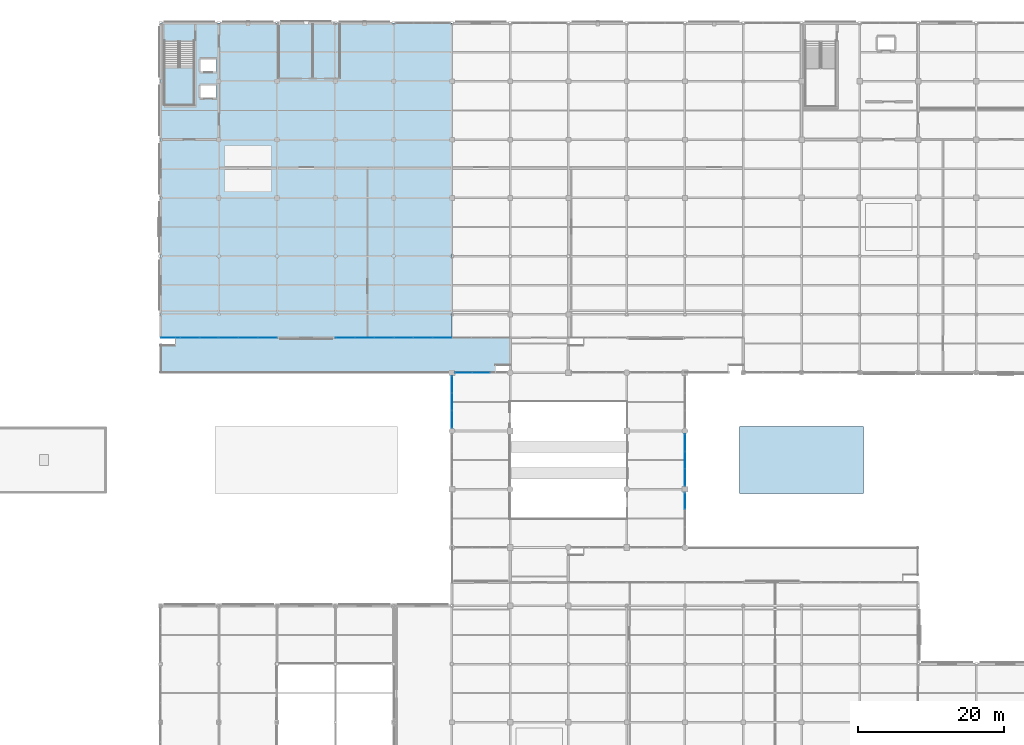
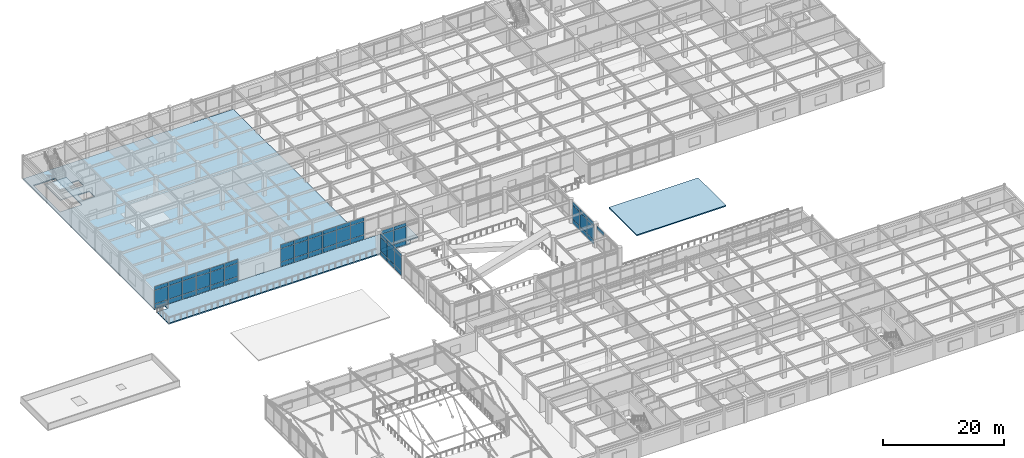
# One storey, part 85 of 117: 61 plates, 4 slabs, 9 elements without a shape of their own.
"""IFC4 building model written with IfcOpenShell, lengths in metres."""

from ifc_helpers import new_model, si_unit, direction, frame, origin, origin_2d, place, context, subcontext, project, spatial, polyline, rectangle, outline, extrude, material, layer, layer_set, type_object, element, aggregate, save


model = new_model("IFC4")

# Units and contexts
model_context = context("Model", 3, precision=1e-05, world=origin(), true_north=direction((0.0, 1.0)))
body_context = subcontext(model_context, "Body", "Model", "MODEL_VIEW")
ifc_project = project(units=[si_unit("LENGTHUNIT", "METRE"), si_unit("AREAUNIT", "SQUARE_METRE"), si_unit("VOLUMEUNIT", "CUBIC_METRE"), si_unit("PLANEANGLEUNIT", "RADIAN"), si_unit("MASSUNIT", "GRAM", prefix="KILO")], contexts=[model_context])

# Site, building, storey
site_placement = place(None, origin())
site = spatial("IfcSite", under=ifc_project, at=site_placement, CompositionType="ELEMENT")
building_placement = place(site_placement, origin())
building = spatial("IfcBuilding", under=site, at=building_placement, Name="Solmirada Galleria", CompositionType="ELEMENT")
storey_placement = place(building_placement, frame((0.0, 0.0, 5.60009765625)))
storey = spatial("IfcBuildingStorey", under=building, at=storey_placement, Name="L01", CompositionType="ELEMENT", Elevation=5.60009765625)

# Curtain wall, plates
ifc_material_1 = material(Name="Impact-resistant low-E double glazing", Category="glass")
curtain_wall_type_1 = type_object("IfcCurtainWallType", Name="CW-FZ3-L01-B3-L072", PredefinedType="NOTDEFINED", material=ifc_material_1)
curtain_wall_1_placement = place(storey_placement, origin())
curtain_wall_1 = element("IfcCurtainWall", 1, at=curtain_wall_1_placement, inside=storey, type_object=curtain_wall_type_1, Name="Terrace and arcade storefront CW-L01-046", PredefinedType="NOTDEFINED")
ifc_layer_1 = layer(ifc_material_1, 0.035888671875)
ifc_layer_set_1 = layer_set([ifc_layer_1], Name="Impact-resistant low-E double glazing")
plate_type_1 = type_object("IfcPlateType", Name="CW-PNL-CW12-T36", PredefinedType="CURTAIN_PANEL", material=ifc_layer_set_1)
plate_1_placement = place(storey_placement, frame((80.0, 65.61767578125, 0.06494140625), z_axis=(0.0, 0.0, 1.0), x_axis=(0.0, 1.0, 0.0)))
plate_1 = element("IfcPlate", 2, at=plate_1_placement, type_object=plate_type_1, Name="CW12 panel 1.1", PredefinedType="CURTAIN_PANEL", context=body_context, shape_type="SweptSolid", body=[
    extrude(rectangle(XDim=2.30126953125, YDim=0.035888671875, at=origin_2d()), origin(), (0.0, 0.0, 1.0), 0.802490234375),
])
plate_2_placement = place(storey_placement, frame((80.0, 65.61767578125, 0.9326171875), z_axis=(0.0, 0.0, 1.0), x_axis=(0.0, 1.0, 0.0)))
plate_2 = element("IfcPlate", 3, at=plate_2_placement, type_object=plate_type_1, Name="CW12 panel 1.2", PredefinedType="CURTAIN_PANEL", context=body_context, shape_type="SweptSolid", body=[
    extrude(rectangle(XDim=2.30126953125, YDim=0.035888671875, at=origin_2d()), origin(), (0.0, 0.0, 1.0), 2.764892578125),
])
plate_3_placement = place(storey_placement, frame((80.0, 65.61767578125, 3.762451171875), z_axis=(0.0, 0.0, 1.0), x_axis=(0.0, 1.0, 0.0)))
plate_3 = element("IfcPlate", 4, at=plate_3_placement, type_object=plate_type_1, Name="CW12 panel 1.3", PredefinedType="CURTAIN_PANEL", context=body_context, shape_type="SweptSolid", body=[
    extrude(rectangle(XDim=2.30126953125, YDim=0.035888671875, at=origin_2d()), origin(), (0.0, 0.0, 1.0), 0.6923828125),
])
plate_4_placement = place(storey_placement, frame((80.0, 68.0, 0.06494140625), z_axis=(0.0, 0.0, 1.0), x_axis=(0.0, 1.0, 0.0)))
plate_4 = element("IfcPlate", 5, at=plate_4_placement, type_object=plate_type_1, Name="CW12 panel 2.1", PredefinedType="CURTAIN_PANEL", context=body_context, shape_type="SweptSolid", body=[
    extrude(rectangle(XDim=2.333740234375, YDim=0.035888671875, at=origin_2d()), origin(), (0.0, 0.0, 1.0), 0.802490234375),
])
plate_5_placement = place(storey_placement, frame((80.0, 68.0, 0.9326171875), z_axis=(0.0, 0.0, 1.0), x_axis=(0.0, 1.0, 0.0)))
plate_5 = element("IfcPlate", 6, at=plate_5_placement, type_object=plate_type_1, Name="CW12 panel 2.2", PredefinedType="CURTAIN_PANEL", context=body_context, shape_type="SweptSolid", body=[
    extrude(rectangle(XDim=2.333740234375, YDim=0.035888671875, at=origin_2d()), origin(), (0.0, 0.0, 1.0), 2.764892578125),
])
plate_6_placement = place(storey_placement, frame((80.0, 68.0, 3.762451171875), z_axis=(0.0, 0.0, 1.0), x_axis=(0.0, 1.0, 0.0)))
plate_6 = element("IfcPlate", 7, at=plate_6_placement, type_object=plate_type_1, Name="CW12 panel 2.3", PredefinedType="CURTAIN_PANEL", context=body_context, shape_type="SweptSolid", body=[
    extrude(rectangle(XDim=2.333740234375, YDim=0.035888671875, at=origin_2d()), origin(), (0.0, 0.0, 1.0), 0.6923828125),
])
plate_7_placement = place(storey_placement, frame((80.0, 70.38232421875, 0.06494140625), z_axis=(0.0, 0.0, 1.0), x_axis=(0.0, 1.0, 0.0)))
plate_7 = element("IfcPlate", 8, at=plate_7_placement, type_object=plate_type_1, Name="CW12 panel 3.1", PredefinedType="CURTAIN_PANEL", context=body_context, shape_type="SweptSolid", body=[
    extrude(rectangle(XDim=2.30126953125, YDim=0.035888671875, at=origin_2d()), origin(), (0.0, 0.0, 1.0), 0.802490234375),
])
plate_8_placement = place(storey_placement, frame((80.0, 70.38232421875, 0.9326171875), z_axis=(0.0, 0.0, 1.0), x_axis=(0.0, 1.0, 0.0)))
plate_8 = element("IfcPlate", 9, at=plate_8_placement, type_object=plate_type_1, Name="CW12 panel 3.2", PredefinedType="CURTAIN_PANEL", context=body_context, shape_type="SweptSolid", body=[
    extrude(rectangle(XDim=2.30126953125, YDim=0.035888671875, at=origin_2d()), origin(), (0.0, 0.0, 1.0), 2.764892578125),
])
plate_9_placement = place(storey_placement, frame((80.0, 70.38232421875, 3.762451171875), z_axis=(0.0, 0.0, 1.0), x_axis=(0.0, 1.0, 0.0)))
plate_9 = element("IfcPlate", 10, at=plate_9_placement, type_object=plate_type_1, Name="CW12 panel 3.3", PredefinedType="CURTAIN_PANEL", context=body_context, shape_type="SweptSolid", body=[
    extrude(rectangle(XDim=2.30126953125, YDim=0.035888671875, at=origin_2d()), origin(), (0.0, 0.0, 1.0), 0.6923828125),
])
aggregate(curtain_wall_1, [plate_1, plate_2, plate_3, plate_4, plate_5, plate_6, plate_7, plate_8, plate_9])

curtain_wall_2_placement = place(storey_placement, origin())
curtain_wall_2 = element("IfcCurtainWall", 11, at=curtain_wall_2_placement, inside=storey, type_object=curtain_wall_type_1, Name="Terrace and arcade storefront CW-L01-047", PredefinedType="NOTDEFINED")
plate_10_placement = place(storey_placement, frame((81.61767578125, 72.0, 0.06494140625), z_axis=(0.0, 0.0, 1.0), x_axis=(1.0, 0.0, 0.0)))
plate_10 = element("IfcPlate", 12, at=plate_10_placement, type_object=plate_type_1, Name="CW12 panel 1.1", PredefinedType="CURTAIN_PANEL", context=body_context, shape_type="SweptSolid", body=[
    extrude(rectangle(XDim=2.30126953125, YDim=0.035888671875, at=origin_2d()), origin(), (0.0, 0.0, 1.0), 0.802490234375),
])
plate_11_placement = place(storey_placement, frame((81.61767578125, 72.0, 0.9326171875), z_axis=(0.0, 0.0, 1.0), x_axis=(1.0, 0.0, 0.0)))
plate_11 = element("IfcPlate", 13, at=plate_11_placement, type_object=plate_type_1, Name="CW12 panel 1.2", PredefinedType="CURTAIN_PANEL", context=body_context, shape_type="SweptSolid", body=[
    extrude(rectangle(XDim=2.30126953125, YDim=0.035888671875, at=origin_2d()), origin(), (0.0, 0.0, 1.0), 2.764892578125),
])
plate_12_placement = place(storey_placement, frame((81.61767578125, 72.0, 3.762451171875), z_axis=(0.0, 0.0, 1.0), x_axis=(1.0, 0.0, 0.0)))
plate_12 = element("IfcPlate", 14, at=plate_12_placement, type_object=plate_type_1, Name="CW12 panel 1.3", PredefinedType="CURTAIN_PANEL", context=body_context, shape_type="SweptSolid", body=[
    extrude(rectangle(XDim=2.30126953125, YDim=0.035888671875, at=origin_2d()), origin(), (0.0, 0.0, 1.0), 0.6923828125),
])
plate_13_placement = place(storey_placement, frame((84.0, 72.0, 0.06494140625), z_axis=(0.0, 0.0, 1.0), x_axis=(1.0, 0.0, 0.0)))
plate_13 = element("IfcPlate", 15, at=plate_13_placement, type_object=plate_type_1, Name="CW12 panel 2.1", PredefinedType="CURTAIN_PANEL", context=body_context, shape_type="SweptSolid", body=[
    extrude(rectangle(XDim=2.333740234375, YDim=0.035888671875, at=origin_2d()), origin(), (0.0, 0.0, 1.0), 0.802490234375),
])
plate_14_placement = place(storey_placement, frame((84.0, 72.0, 0.9326171875), z_axis=(0.0, 0.0, 1.0), x_axis=(1.0, 0.0, 0.0)))
plate_14 = element("IfcPlate", 16, at=plate_14_placement, type_object=plate_type_1, Name="CW12 panel 2.2", PredefinedType="CURTAIN_PANEL", context=body_context, shape_type="SweptSolid", body=[
    extrude(rectangle(XDim=2.333740234375, YDim=0.035888671875, at=origin_2d()), origin(), (0.0, 0.0, 1.0), 2.764892578125),
])
plate_15_placement = place(storey_placement, frame((84.0, 72.0, 3.762451171875), z_axis=(0.0, 0.0, 1.0), x_axis=(1.0, 0.0, 0.0)))
plate_15 = element("IfcPlate", 17, at=plate_15_placement, type_object=plate_type_1, Name="CW12 panel 2.3", PredefinedType="CURTAIN_PANEL", context=body_context, shape_type="SweptSolid", body=[
    extrude(rectangle(XDim=2.333740234375, YDim=0.035888671875, at=origin_2d()), origin(), (0.0, 0.0, 1.0), 0.6923828125),
])
aggregate(curtain_wall_2, [plate_10, plate_11, plate_12, plate_13, plate_14, plate_15])

curtain_wall_3_placement = place(storey_placement, origin())
curtain_wall_3 = element("IfcCurtainWall", 18, at=curtain_wall_3_placement, inside=storey, type_object=curtain_wall_type_1, Name="Terrace and arcade storefront CW-L01-069", PredefinedType="NOTDEFINED")
plate_16_placement = place(storey_placement, frame((112.0, 62.38232421875, 0.06494140625), z_axis=(0.0, 0.0, 1.0), x_axis=(0.0, -1.0, 0.0)))
plate_16 = element("IfcPlate", 19, at=plate_16_placement, type_object=plate_type_1, Name="CW12 panel 1.1", PredefinedType="CURTAIN_PANEL", context=body_context, shape_type="SweptSolid", body=[
    extrude(rectangle(XDim=2.30126953125, YDim=0.035888671875, at=origin_2d()), origin(), (0.0, 0.0, 1.0), 0.802490234375),
])
plate_17_placement = place(storey_placement, frame((112.0, 62.38232421875, 0.9326171875), z_axis=(0.0, 0.0, 1.0), x_axis=(0.0, -1.0, 0.0)))
plate_17 = element("IfcPlate", 20, at=plate_17_placement, type_object=plate_type_1, Name="CW12 panel 1.2", PredefinedType="CURTAIN_PANEL", context=body_context, shape_type="SweptSolid", body=[
    extrude(rectangle(XDim=2.30126953125, YDim=0.035888671875, at=origin_2d()), origin(), (0.0, 0.0, 1.0), 2.764892578125),
])
plate_18_placement = place(storey_placement, frame((112.0, 62.38232421875, 3.762451171875), z_axis=(0.0, 0.0, 1.0), x_axis=(0.0, -1.0, 0.0)))
plate_18 = element("IfcPlate", 21, at=plate_18_placement, type_object=plate_type_1, Name="CW12 panel 1.3", PredefinedType="CURTAIN_PANEL", context=body_context, shape_type="SweptSolid", body=[
    extrude(rectangle(XDim=2.30126953125, YDim=0.035888671875, at=origin_2d()), origin(), (0.0, 0.0, 1.0), 0.6923828125),
])
plate_19_placement = place(storey_placement, frame((112.0, 60.0, 0.06494140625), z_axis=(0.0, 0.0, 1.0), x_axis=(0.0, -1.0, 0.0)))
plate_19 = element("IfcPlate", 22, at=plate_19_placement, type_object=plate_type_1, Name="CW12 panel 2.1", PredefinedType="CURTAIN_PANEL", context=body_context, shape_type="SweptSolid", body=[
    extrude(rectangle(XDim=2.333740234375, YDim=0.035888671875, at=origin_2d()), origin(), (0.0, 0.0, 1.0), 0.802490234375),
])
plate_20_placement = place(storey_placement, frame((112.0, 60.0, 0.9326171875), z_axis=(0.0, 0.0, 1.0), x_axis=(0.0, -1.0, 0.0)))
plate_20 = element("IfcPlate", 23, at=plate_20_placement, type_object=plate_type_1, Name="CW12 panel 2.2", PredefinedType="CURTAIN_PANEL", context=body_context, shape_type="SweptSolid", body=[
    extrude(rectangle(XDim=2.333740234375, YDim=0.035888671875, at=origin_2d()), origin(), (0.0, 0.0, 1.0), 2.764892578125),
])
plate_21_placement = place(storey_placement, frame((112.0, 60.0, 3.762451171875), z_axis=(0.0, 0.0, 1.0), x_axis=(0.0, -1.0, 0.0)))
plate_21 = element("IfcPlate", 24, at=plate_21_placement, type_object=plate_type_1, Name="CW12 panel 2.3", PredefinedType="CURTAIN_PANEL", context=body_context, shape_type="SweptSolid", body=[
    extrude(rectangle(XDim=2.333740234375, YDim=0.035888671875, at=origin_2d()), origin(), (0.0, 0.0, 1.0), 0.6923828125),
])
plate_22_placement = place(storey_placement, frame((112.0, 57.61767578125, 0.06494140625), z_axis=(0.0, 0.0, 1.0), x_axis=(0.0, -1.0, 0.0)))
plate_22 = element("IfcPlate", 25, at=plate_22_placement, type_object=plate_type_1, Name="CW12 panel 3.1", PredefinedType="CURTAIN_PANEL", context=body_context, shape_type="SweptSolid", body=[
    extrude(rectangle(XDim=2.30126953125, YDim=0.035888671875, at=origin_2d()), origin(), (0.0, 0.0, 1.0), 0.802490234375),
])
plate_23_placement = place(storey_placement, frame((112.0, 57.61767578125, 0.9326171875), z_axis=(0.0, 0.0, 1.0), x_axis=(0.0, -1.0, 0.0)))
plate_23 = element("IfcPlate", 26, at=plate_23_placement, type_object=plate_type_1, Name="CW12 panel 3.2", PredefinedType="CURTAIN_PANEL", context=body_context, shape_type="SweptSolid", body=[
    extrude(rectangle(XDim=2.30126953125, YDim=0.035888671875, at=origin_2d()), origin(), (0.0, 0.0, 1.0), 2.764892578125),
])
plate_24_placement = place(storey_placement, frame((112.0, 57.61767578125, 3.762451171875), z_axis=(0.0, 0.0, 1.0), x_axis=(0.0, -1.0, 0.0)))
plate_24 = element("IfcPlate", 27, at=plate_24_placement, type_object=plate_type_1, Name="CW12 panel 3.3", PredefinedType="CURTAIN_PANEL", context=body_context, shape_type="SweptSolid", body=[
    extrude(rectangle(XDim=2.30126953125, YDim=0.035888671875, at=origin_2d()), origin(), (0.0, 0.0, 1.0), 0.6923828125),
])
aggregate(curtain_wall_3, [plate_16, plate_17, plate_18, plate_19, plate_20, plate_21, plate_22, plate_23, plate_24])

# Curtain wall, plate
curtain_wall_4_placement = place(storey_placement, origin())
curtain_wall_4 = element("IfcCurtainWall", 28, at=curtain_wall_4_placement, inside=storey, type_object=curtain_wall_type_1, Name="Terrace and arcade storefront CW-L01-070", PredefinedType="NOTDEFINED")
plate_25_placement = place(storey_placement, frame((112.0, 54.38232421875, 3.762451171875), z_axis=(0.0, 0.0, 1.0), x_axis=(0.0, -1.0, 0.0)))
plate_25 = element("IfcPlate", 29, at=plate_25_placement, type_object=plate_type_1, Name="CW12 panel 1.3", PredefinedType="CURTAIN_PANEL", context=body_context, shape_type="SweptSolid", body=[
    extrude(rectangle(XDim=2.30126953125, YDim=0.035888671875, at=origin_2d()), origin(), (0.0, 0.0, 1.0), 0.6923828125),
])
aggregate(curtain_wall_4, [plate_25])

# Curtain wall, plates
curtain_wall_type_2 = type_object("IfcCurtainWallType", Name="CW-FZ4-L01-B3-L080", PredefinedType="NOTDEFINED", material=ifc_material_1)
curtain_wall_5_placement = place(storey_placement, origin())
curtain_wall_5 = element("IfcCurtainWall", 30, at=curtain_wall_5_placement, inside=storey, type_object=curtain_wall_type_2, Name="Terrace and arcade storefront CW-L01-049", PredefinedType="NOTDEFINED")
ifc_layer_2 = layer(ifc_material_1, 0.0419921875)
ifc_layer_set_2 = layer_set([ifc_layer_2], Name="Impact-resistant low-E double glazing")
plate_type_2 = type_object("IfcPlateType", Name="CW-PNL-CW13-T42", PredefinedType="CURTAIN_PANEL", material=ifc_layer_set_2)
plate_26_placement = place(storey_placement, frame((78.650390625, 76.800048828125, 0.06494140625), z_axis=(0.0, 0.0, 1.0), x_axis=(-1.0, 0.0, 0.0)))
plate_26 = element("IfcPlate", 31, at=plate_26_placement, type_object=plate_type_2, Name="CW13 panel 1.1", PredefinedType="CURTAIN_PANEL", context=body_context, shape_type="SweptSolid", body=[
    extrude(rectangle(XDim=2.569091796875, YDim=0.0419921875, at=origin_2d()), origin(), (0.0, 0.0, 1.0), 0.862548828125),
])
plate_27_placement = place(storey_placement, frame((78.650390625, 76.800048828125, 0.9921875), z_axis=(0.0, 0.0, 1.0), x_axis=(-1.0, 0.0, 0.0)))
plate_27 = element("IfcPlate", 32, at=plate_27_placement, type_object=plate_type_2, Name="CW13 panel 1.2", PredefinedType="CURTAIN_PANEL", context=body_context, shape_type="SweptSolid", body=[
    extrude(rectangle(XDim=2.569091796875, YDim=0.0419921875, at=origin_2d()), origin(), (0.0, 0.0, 1.0), 2.655029296875),
])
plate_28_placement = place(storey_placement, frame((78.650390625, 76.800048828125, 3.71240234375), z_axis=(0.0, 0.0, 1.0), x_axis=(-1.0, 0.0, 0.0)))
plate_28 = element("IfcPlate", 33, at=plate_28_placement, type_object=plate_type_2, Name="CW13 panel 1.3", PredefinedType="CURTAIN_PANEL", context=body_context, shape_type="SweptSolid", body=[
    extrude(rectangle(XDim=2.569091796875, YDim=0.0419921875, at=origin_2d()), origin(), (0.0, 0.0, 1.0), 0.742431640625),
])
plate_29_placement = place(storey_placement, frame((76.0, 76.800048828125, 0.06494140625), z_axis=(0.0, 0.0, 1.0), x_axis=(-1.0, 0.0, 0.0)))
plate_29 = element("IfcPlate", 34, at=plate_29_placement, type_object=plate_type_2, Name="CW13 panel 2.1", PredefinedType="CURTAIN_PANEL", context=body_context, shape_type="SweptSolid", body=[
    extrude(rectangle(XDim=2.6015625, YDim=0.0419921875, at=origin_2d()), origin(), (0.0, 0.0, 1.0), 0.862548828125),
])
plate_30_placement = place(storey_placement, frame((76.0, 76.800048828125, 0.9921875), z_axis=(0.0, 0.0, 1.0), x_axis=(-1.0, 0.0, 0.0)))
plate_30 = element("IfcPlate", 35, at=plate_30_placement, type_object=plate_type_2, Name="CW13 panel 2.2", PredefinedType="CURTAIN_PANEL", context=body_context, shape_type="SweptSolid", body=[
    extrude(rectangle(XDim=2.6015625, YDim=0.0419921875, at=origin_2d()), origin(), (0.0, 0.0, 1.0), 2.655029296875),
])
plate_31_placement = place(storey_placement, frame((76.0, 76.800048828125, 3.71240234375), z_axis=(0.0, 0.0, 1.0), x_axis=(-1.0, 0.0, 0.0)))
plate_31 = element("IfcPlate", 36, at=plate_31_placement, type_object=plate_type_2, Name="CW13 panel 2.3", PredefinedType="CURTAIN_PANEL", context=body_context, shape_type="SweptSolid", body=[
    extrude(rectangle(XDim=2.6015625, YDim=0.0419921875, at=origin_2d()), origin(), (0.0, 0.0, 1.0), 0.742431640625),
])
plate_32_placement = place(storey_placement, frame((73.349609375, 76.800048828125, 0.06494140625), z_axis=(0.0, 0.0, 1.0), x_axis=(-1.0, 0.0, 0.0)))
plate_32 = element("IfcPlate", 37, at=plate_32_placement, type_object=plate_type_2, Name="CW13 panel 3.1", PredefinedType="CURTAIN_PANEL", context=body_context, shape_type="SweptSolid", body=[
    extrude(rectangle(XDim=2.569091796875, YDim=0.0419921875, at=origin_2d()), origin(), (0.0, 0.0, 1.0), 0.862548828125),
])
plate_33_placement = place(storey_placement, frame((73.349609375, 76.800048828125, 0.9921875), z_axis=(0.0, 0.0, 1.0), x_axis=(-1.0, 0.0, 0.0)))
plate_33 = element("IfcPlate", 38, at=plate_33_placement, type_object=plate_type_2, Name="CW13 panel 3.2", PredefinedType="CURTAIN_PANEL", context=body_context, shape_type="SweptSolid", body=[
    extrude(rectangle(XDim=2.569091796875, YDim=0.0419921875, at=origin_2d()), origin(), (0.0, 0.0, 1.0), 2.655029296875),
])
plate_34_placement = place(storey_placement, frame((73.349609375, 76.800048828125, 3.71240234375), z_axis=(0.0, 0.0, 1.0), x_axis=(-1.0, 0.0, 0.0)))
plate_34 = element("IfcPlate", 39, at=plate_34_placement, type_object=plate_type_2, Name="CW13 panel 3.3", PredefinedType="CURTAIN_PANEL", context=body_context, shape_type="SweptSolid", body=[
    extrude(rectangle(XDim=2.569091796875, YDim=0.0419921875, at=origin_2d()), origin(), (0.0, 0.0, 1.0), 0.742431640625),
])
aggregate(curtain_wall_5, [plate_26, plate_27, plate_28, plate_29, plate_30, plate_31, plate_32, plate_33, plate_34])

curtain_wall_6_placement = place(storey_placement, origin())
curtain_wall_6 = element("IfcCurtainWall", 40, at=curtain_wall_6_placement, inside=storey, type_object=curtain_wall_type_2, Name="Terrace and arcade storefront CW-L01-050", PredefinedType="NOTDEFINED")
plate_35_placement = place(storey_placement, frame((70.650390625, 76.800048828125, 0.06494140625), z_axis=(0.0, 0.0, 1.0), x_axis=(-1.0, 0.0, 0.0)))
plate_35 = element("IfcPlate", 41, at=plate_35_placement, type_object=plate_type_2, Name="CW13 panel 1.1", PredefinedType="CURTAIN_PANEL", context=body_context, shape_type="SweptSolid", body=[
    extrude(rectangle(XDim=2.569091796875, YDim=0.0419921875, at=origin_2d()), origin(), (0.0, 0.0, 1.0), 0.862548828125),
])
plate_36_placement = place(storey_placement, frame((70.650390625, 76.800048828125, 0.9921875), z_axis=(0.0, 0.0, 1.0), x_axis=(-1.0, 0.0, 0.0)))
plate_36 = element("IfcPlate", 42, at=plate_36_placement, type_object=plate_type_2, Name="CW13 panel 1.2", PredefinedType="CURTAIN_PANEL", context=body_context, shape_type="SweptSolid", body=[
    extrude(rectangle(XDim=2.569091796875, YDim=0.0419921875, at=origin_2d()), origin(), (0.0, 0.0, 1.0), 2.655029296875),
])
plate_37_placement = place(storey_placement, frame((70.650390625, 76.800048828125, 3.71240234375), z_axis=(0.0, 0.0, 1.0), x_axis=(-1.0, 0.0, 0.0)))
plate_37 = element("IfcPlate", 43, at=plate_37_placement, type_object=plate_type_2, Name="CW13 panel 1.3", PredefinedType="CURTAIN_PANEL", context=body_context, shape_type="SweptSolid", body=[
    extrude(rectangle(XDim=2.569091796875, YDim=0.0419921875, at=origin_2d()), origin(), (0.0, 0.0, 1.0), 0.742431640625),
])
plate_38_placement = place(storey_placement, frame((68.0, 76.800048828125, 0.06494140625), z_axis=(0.0, 0.0, 1.0), x_axis=(-1.0, 0.0, 0.0)))
plate_38 = element("IfcPlate", 44, at=plate_38_placement, type_object=plate_type_2, Name="CW13 panel 2.1", PredefinedType="CURTAIN_PANEL", context=body_context, shape_type="SweptSolid", body=[
    extrude(rectangle(XDim=2.6015625, YDim=0.0419921875, at=origin_2d()), origin(), (0.0, 0.0, 1.0), 0.862548828125),
])
plate_39_placement = place(storey_placement, frame((68.0, 76.800048828125, 0.9921875), z_axis=(0.0, 0.0, 1.0), x_axis=(-1.0, 0.0, 0.0)))
plate_39 = element("IfcPlate", 45, at=plate_39_placement, type_object=plate_type_2, Name="CW13 panel 2.2", PredefinedType="CURTAIN_PANEL", context=body_context, shape_type="SweptSolid", body=[
    extrude(rectangle(XDim=2.6015625, YDim=0.0419921875, at=origin_2d()), origin(), (0.0, 0.0, 1.0), 2.655029296875),
])
plate_40_placement = place(storey_placement, frame((68.0, 76.800048828125, 3.71240234375), z_axis=(0.0, 0.0, 1.0), x_axis=(-1.0, 0.0, 0.0)))
plate_40 = element("IfcPlate", 46, at=plate_40_placement, type_object=plate_type_2, Name="CW13 panel 2.3", PredefinedType="CURTAIN_PANEL", context=body_context, shape_type="SweptSolid", body=[
    extrude(rectangle(XDim=2.6015625, YDim=0.0419921875, at=origin_2d()), origin(), (0.0, 0.0, 1.0), 0.742431640625),
])
plate_41_placement = place(storey_placement, frame((65.349609375, 76.800048828125, 0.06494140625), z_axis=(0.0, 0.0, 1.0), x_axis=(-1.0, 0.0, 0.0)))
plate_41 = element("IfcPlate", 47, at=plate_41_placement, type_object=plate_type_2, Name="CW13 panel 3.1", PredefinedType="CURTAIN_PANEL", context=body_context, shape_type="SweptSolid", body=[
    extrude(rectangle(XDim=2.569091796875, YDim=0.0419921875, at=origin_2d()), origin(), (0.0, 0.0, 1.0), 0.862548828125),
])
plate_42_placement = place(storey_placement, frame((65.349609375, 76.800048828125, 0.9921875), z_axis=(0.0, 0.0, 1.0), x_axis=(-1.0, 0.0, 0.0)))
plate_42 = element("IfcPlate", 48, at=plate_42_placement, type_object=plate_type_2, Name="CW13 panel 3.2", PredefinedType="CURTAIN_PANEL", context=body_context, shape_type="SweptSolid", body=[
    extrude(rectangle(XDim=2.569091796875, YDim=0.0419921875, at=origin_2d()), origin(), (0.0, 0.0, 1.0), 2.655029296875),
])
plate_43_placement = place(storey_placement, frame((65.349609375, 76.800048828125, 3.71240234375), z_axis=(0.0, 0.0, 1.0), x_axis=(-1.0, 0.0, 0.0)))
plate_43 = element("IfcPlate", 49, at=plate_43_placement, type_object=plate_type_2, Name="CW13 panel 3.3", PredefinedType="CURTAIN_PANEL", context=body_context, shape_type="SweptSolid", body=[
    extrude(rectangle(XDim=2.569091796875, YDim=0.0419921875, at=origin_2d()), origin(), (0.0, 0.0, 1.0), 0.742431640625),
])
aggregate(curtain_wall_6, [plate_35, plate_36, plate_37, plate_38, plate_39, plate_40, plate_41, plate_42, plate_43])

curtain_wall_7_placement = place(storey_placement, origin())
curtain_wall_7 = element("IfcCurtainWall", 50, at=curtain_wall_7_placement, inside=storey, type_object=curtain_wall_type_2, Name="Terrace and arcade storefront CW-L01-051", PredefinedType="NOTDEFINED")
plate_44_placement = place(storey_placement, frame((54.650390625, 76.800048828125, 0.06494140625), z_axis=(0.0, 0.0, 1.0), x_axis=(-1.0, 0.0, 0.0)))
plate_44 = element("IfcPlate", 51, at=plate_44_placement, type_object=plate_type_2, Name="CW13 panel 1.1", PredefinedType="CURTAIN_PANEL", context=body_context, shape_type="SweptSolid", body=[
    extrude(rectangle(XDim=2.569091796875, YDim=0.0419921875, at=origin_2d()), origin(), (0.0, 0.0, 1.0), 0.862548828125),
])
plate_45_placement = place(storey_placement, frame((54.650390625, 76.800048828125, 0.9921875), z_axis=(0.0, 0.0, 1.0), x_axis=(-1.0, 0.0, 0.0)))
plate_45 = element("IfcPlate", 52, at=plate_45_placement, type_object=plate_type_2, Name="CW13 panel 1.2", PredefinedType="CURTAIN_PANEL", context=body_context, shape_type="SweptSolid", body=[
    extrude(rectangle(XDim=2.569091796875, YDim=0.0419921875, at=origin_2d()), origin(), (0.0, 0.0, 1.0), 2.655029296875),
])
plate_46_placement = place(storey_placement, frame((54.650390625, 76.800048828125, 3.71240234375), z_axis=(0.0, 0.0, 1.0), x_axis=(-1.0, 0.0, 0.0)))
plate_46 = element("IfcPlate", 53, at=plate_46_placement, type_object=plate_type_2, Name="CW13 panel 1.3", PredefinedType="CURTAIN_PANEL", context=body_context, shape_type="SweptSolid", body=[
    extrude(rectangle(XDim=2.569091796875, YDim=0.0419921875, at=origin_2d()), origin(), (0.0, 0.0, 1.0), 0.742431640625),
])
plate_47_placement = place(storey_placement, frame((52.0, 76.800048828125, 0.06494140625), z_axis=(0.0, 0.0, 1.0), x_axis=(-1.0, 0.0, 0.0)))
plate_47 = element("IfcPlate", 54, at=plate_47_placement, type_object=plate_type_2, Name="CW13 panel 2.1", PredefinedType="CURTAIN_PANEL", context=body_context, shape_type="SweptSolid", body=[
    extrude(rectangle(XDim=2.6015625, YDim=0.0419921875, at=origin_2d()), origin(), (0.0, 0.0, 1.0), 0.862548828125),
])
plate_48_placement = place(storey_placement, frame((52.0, 76.800048828125, 0.9921875), z_axis=(0.0, 0.0, 1.0), x_axis=(-1.0, 0.0, 0.0)))
plate_48 = element("IfcPlate", 55, at=plate_48_placement, type_object=plate_type_2, Name="CW13 panel 2.2", PredefinedType="CURTAIN_PANEL", context=body_context, shape_type="SweptSolid", body=[
    extrude(rectangle(XDim=2.6015625, YDim=0.0419921875, at=origin_2d()), origin(), (0.0, 0.0, 1.0), 2.655029296875),
])
plate_49_placement = place(storey_placement, frame((52.0, 76.800048828125, 3.71240234375), z_axis=(0.0, 0.0, 1.0), x_axis=(-1.0, 0.0, 0.0)))
plate_49 = element("IfcPlate", 56, at=plate_49_placement, type_object=plate_type_2, Name="CW13 panel 2.3", PredefinedType="CURTAIN_PANEL", context=body_context, shape_type="SweptSolid", body=[
    extrude(rectangle(XDim=2.6015625, YDim=0.0419921875, at=origin_2d()), origin(), (0.0, 0.0, 1.0), 0.742431640625),
])
plate_50_placement = place(storey_placement, frame((49.349609375, 76.800048828125, 0.06494140625), z_axis=(0.0, 0.0, 1.0), x_axis=(-1.0, 0.0, 0.0)))
plate_50 = element("IfcPlate", 57, at=plate_50_placement, type_object=plate_type_2, Name="CW13 panel 3.1", PredefinedType="CURTAIN_PANEL", context=body_context, shape_type="SweptSolid", body=[
    extrude(rectangle(XDim=2.569091796875, YDim=0.0419921875, at=origin_2d()), origin(), (0.0, 0.0, 1.0), 0.862548828125),
])
plate_51_placement = place(storey_placement, frame((49.349609375, 76.800048828125, 0.9921875), z_axis=(0.0, 0.0, 1.0), x_axis=(-1.0, 0.0, 0.0)))
plate_51 = element("IfcPlate", 58, at=plate_51_placement, type_object=plate_type_2, Name="CW13 panel 3.2", PredefinedType="CURTAIN_PANEL", context=body_context, shape_type="SweptSolid", body=[
    extrude(rectangle(XDim=2.569091796875, YDim=0.0419921875, at=origin_2d()), origin(), (0.0, 0.0, 1.0), 2.655029296875),
])
plate_52_placement = place(storey_placement, frame((49.349609375, 76.800048828125, 3.71240234375), z_axis=(0.0, 0.0, 1.0), x_axis=(-1.0, 0.0, 0.0)))
plate_52 = element("IfcPlate", 59, at=plate_52_placement, type_object=plate_type_2, Name="CW13 panel 3.3", PredefinedType="CURTAIN_PANEL", context=body_context, shape_type="SweptSolid", body=[
    extrude(rectangle(XDim=2.569091796875, YDim=0.0419921875, at=origin_2d()), origin(), (0.0, 0.0, 1.0), 0.742431640625),
])
aggregate(curtain_wall_7, [plate_44, plate_45, plate_46, plate_47, plate_48, plate_49, plate_50, plate_51, plate_52])

curtain_wall_8_placement = place(storey_placement, origin())
curtain_wall_8 = element("IfcCurtainWall", 60, at=curtain_wall_8_placement, inside=storey, type_object=curtain_wall_type_2, Name="Terrace and arcade storefront CW-L01-052", PredefinedType="NOTDEFINED")
plate_53_placement = place(storey_placement, frame((46.650390625, 76.800048828125, 0.06494140625), z_axis=(0.0, 0.0, 1.0), x_axis=(-1.0, 0.0, 0.0)))
plate_53 = element("IfcPlate", 61, at=plate_53_placement, type_object=plate_type_2, Name="CW13 panel 1.1", PredefinedType="CURTAIN_PANEL", context=body_context, shape_type="SweptSolid", body=[
    extrude(rectangle(XDim=2.569091796875, YDim=0.0419921875, at=origin_2d()), origin(), (0.0, 0.0, 1.0), 0.862548828125),
])
plate_54_placement = place(storey_placement, frame((46.650390625, 76.800048828125, 0.9921875), z_axis=(0.0, 0.0, 1.0), x_axis=(-1.0, 0.0, 0.0)))
plate_54 = element("IfcPlate", 62, at=plate_54_placement, type_object=plate_type_2, Name="CW13 panel 1.2", PredefinedType="CURTAIN_PANEL", context=body_context, shape_type="SweptSolid", body=[
    extrude(rectangle(XDim=2.569091796875, YDim=0.0419921875, at=origin_2d()), origin(), (0.0, 0.0, 1.0), 2.655029296875),
])
plate_55_placement = place(storey_placement, frame((46.650390625, 76.800048828125, 3.71240234375), z_axis=(0.0, 0.0, 1.0), x_axis=(-1.0, 0.0, 0.0)))
plate_55 = element("IfcPlate", 63, at=plate_55_placement, type_object=plate_type_2, Name="CW13 panel 1.3", PredefinedType="CURTAIN_PANEL", context=body_context, shape_type="SweptSolid", body=[
    extrude(rectangle(XDim=2.569091796875, YDim=0.0419921875, at=origin_2d()), origin(), (0.0, 0.0, 1.0), 0.742431640625),
])
plate_56_placement = place(storey_placement, frame((44.0, 76.800048828125, 0.06494140625), z_axis=(0.0, 0.0, 1.0), x_axis=(-1.0, 0.0, 0.0)))
plate_56 = element("IfcPlate", 64, at=plate_56_placement, type_object=plate_type_2, Name="CW13 panel 2.1", PredefinedType="CURTAIN_PANEL", context=body_context, shape_type="SweptSolid", body=[
    extrude(rectangle(XDim=2.6015625, YDim=0.0419921875, at=origin_2d()), origin(), (0.0, 0.0, 1.0), 0.862548828125),
])
plate_57_placement = place(storey_placement, frame((44.0, 76.800048828125, 0.9921875), z_axis=(0.0, 0.0, 1.0), x_axis=(-1.0, 0.0, 0.0)))
plate_57 = element("IfcPlate", 65, at=plate_57_placement, type_object=plate_type_2, Name="CW13 panel 2.2", PredefinedType="CURTAIN_PANEL", context=body_context, shape_type="SweptSolid", body=[
    extrude(rectangle(XDim=2.6015625, YDim=0.0419921875, at=origin_2d()), origin(), (0.0, 0.0, 1.0), 2.655029296875),
])
plate_58_placement = place(storey_placement, frame((44.0, 76.800048828125, 3.71240234375), z_axis=(0.0, 0.0, 1.0), x_axis=(-1.0, 0.0, 0.0)))
plate_58 = element("IfcPlate", 66, at=plate_58_placement, type_object=plate_type_2, Name="CW13 panel 2.3", PredefinedType="CURTAIN_PANEL", context=body_context, shape_type="SweptSolid", body=[
    extrude(rectangle(XDim=2.6015625, YDim=0.0419921875, at=origin_2d()), origin(), (0.0, 0.0, 1.0), 0.742431640625),
])
plate_59_placement = place(storey_placement, frame((41.349609375, 76.800048828125, 0.06494140625), z_axis=(0.0, 0.0, 1.0), x_axis=(-1.0, 0.0, 0.0)))
plate_59 = element("IfcPlate", 67, at=plate_59_placement, type_object=plate_type_2, Name="CW13 panel 3.1", PredefinedType="CURTAIN_PANEL", context=body_context, shape_type="SweptSolid", body=[
    extrude(rectangle(XDim=2.569091796875, YDim=0.0419921875, at=origin_2d()), origin(), (0.0, 0.0, 1.0), 0.862548828125),
])
plate_60_placement = place(storey_placement, frame((41.349609375, 76.800048828125, 0.9921875), z_axis=(0.0, 0.0, 1.0), x_axis=(-1.0, 0.0, 0.0)))
plate_60 = element("IfcPlate", 68, at=plate_60_placement, type_object=plate_type_2, Name="CW13 panel 3.2", PredefinedType="CURTAIN_PANEL", context=body_context, shape_type="SweptSolid", body=[
    extrude(rectangle(XDim=2.569091796875, YDim=0.0419921875, at=origin_2d()), origin(), (0.0, 0.0, 1.0), 2.655029296875),
])
plate_61_placement = place(storey_placement, frame((41.349609375, 76.800048828125, 3.71240234375), z_axis=(0.0, 0.0, 1.0), x_axis=(-1.0, 0.0, 0.0)))
plate_61 = element("IfcPlate", 69, at=plate_61_placement, type_object=plate_type_2, Name="CW13 panel 3.3", PredefinedType="CURTAIN_PANEL", context=body_context, shape_type="SweptSolid", body=[
    extrude(rectangle(XDim=2.569091796875, YDim=0.0419921875, at=origin_2d()), origin(), (0.0, 0.0, 1.0), 0.742431640625),
])
aggregate(curtain_wall_8, [plate_53, plate_54, plate_55, plate_56, plate_57, plate_58, plate_59, plate_60, plate_61])

# Slab
ifc_material_2 = material(Name="Concrete C35/45", Category="concrete")
ifc_layer_3 = layer(ifc_material_2, 0.219970703125)
ifc_layer_set_3 = layer_set([ifc_layer_3], Name="Concrete C35/45")
slab_type_1 = type_object("IfcSlabType", Name="SLB-FLOOR-220", PredefinedType="FLOOR", material=ifc_layer_set_3)
slab_1_placement = place(storey_placement, frame((0.0, 0.0, -0.22021484375)))
element("IfcSlab", 70, at=slab_1_placement, inside=storey, type_object=slab_type_1, Name="Slab L01-NORTH-W", PredefinedType="FLOOR", context=body_context, shape_type="SweptSolid", body=[
    extrude(outline(polyline([(40.0, 76.800048828125), (80.0, 76.800048828125), (80.0, 120.0), (40.0, 120.0), (40.0, 76.800048828125)]), holes=[polyline([(40.5, 108.699951171875), (44.64990234375, 108.699951171875), (44.64990234375, 117.5), (40.5, 117.5), (40.5, 108.699951171875)]), polyline([(45.425048828125, 113.300048828125), (47.675048828125, 113.300048828125), (47.675048828125, 115.10009765625), (45.425048828125, 115.10009765625), (45.425048828125, 113.300048828125)]), polyline([(45.425048828125, 109.699951171875), (47.675048828125, 109.699951171875), (47.675048828125, 111.5), (45.425048828125, 111.5), (45.425048828125, 109.699951171875)])]), origin(), (0.0, 0.0, 1.0), 0.22021484375),
])

# Stair, slab
stair_type = type_object("IfcStairType", Name="STR-DOG-200-H48", PredefinedType="HALF_TURN_STAIR", material=ifc_material_2)
stair_placement = place(storey_placement, origin())
stair = element("IfcStair", 71, at=stair_placement, inside=storey, type_object=stair_type, Name="L01 Northwest Sales Core Exit Stair ST1", PredefinedType="HALF_TURN_STAIR")
ifc_layer_4 = layer(ifc_material_2, 0.199951171875)
ifc_layer_set_4 = layer_set([ifc_layer_4], Name="Concrete C35/45")
slab_type_2 = type_object("IfcSlabType", Name="SLB-LAND-200", PredefinedType="LANDING", material=ifc_layer_set_4)
slab_2_placement = place(storey_placement, frame((0.0, 0.0, 2.199951171875)))
slab_2 = element("IfcSlab", 72, at=slab_2_placement, type_object=slab_type_2, Name="ST1 landing 1", PredefinedType="LANDING", context=body_context, shape_type="SweptSolid", body=[
    extrude(outline(polyline([(40.5, 113.860107421875), (40.5, 108.699951171875), (44.64990234375, 108.699951171875), (44.64990234375, 113.860107421875), (40.5, 113.860107421875)])), origin(), (0.0, 0.0, 1.0), 0.199951171875),
])
aggregate(stair, [slab_2])

# Slabs
ifc_layer_5 = layer(ifc_material_2, 0.219970703125)
ifc_layer_set_5 = layer_set([ifc_layer_5], Name="Concrete C35/45")
slab_type_3 = type_object("IfcSlabType", Name="SLB-ROOF-220", PredefinedType="ROOF", material=ifc_layer_set_5)
slab_3_placement = place(storey_placement, frame((0.0, 0.0, -0.22021484375)))
element("IfcSlab", 73, at=slab_3_placement, inside=storey, type_object=slab_type_3, Name="Arcade boutique pavilion BE roof slab", PredefinedType="ROOF", context=body_context, shape_type="SweptSolid", body=[
    extrude(outline(polyline([(119.5, 55.39990234375), (136.5, 55.39990234375), (136.5, 64.60009765625), (119.5, 64.60009765625), (119.5, 55.39990234375)])), origin(), (0.0, 0.0, 1.0), 0.22021484375),
])
ifc_layer_6 = layer(ifc_material_2, 0.239990234375)
ifc_layer_set_6 = layer_set([ifc_layer_6], Name="Concrete C35/45")
slab_type_4 = type_object("IfcSlabType", Name="SLB-TERR-240", PredefinedType="FLOOR", material=ifc_layer_set_6)
slab_4_placement = place(storey_placement, frame((0.0, 0.0, -0.239990234375)))
element("IfcSlab", 74, at=slab_4_placement, inside=storey, type_object=slab_type_4, Name="Slab L01-TERR-NW", PredefinedType="FLOOR", context=body_context, shape_type="SweptSolid", body=[
    extrude(outline(polyline([(40.0, 72.0), (86.0, 72.0), (86.0, 73.0), (88.0, 73.0), (88.0, 76.800048828125), (42.0, 76.800048828125), (42.0, 75.800048828125), (40.0, 75.800048828125), (40.0, 72.0)])), origin(), (0.0, 0.0, 1.0), 0.239990234375),
])

save(model, "model.ifc")
